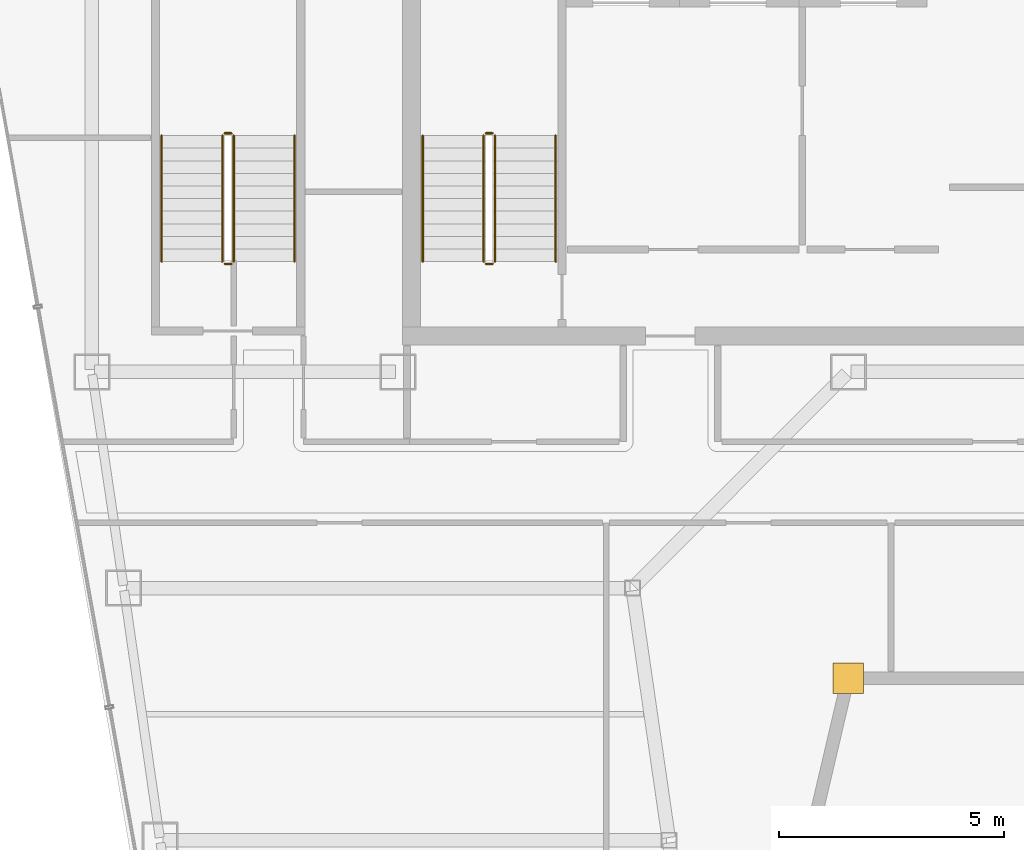
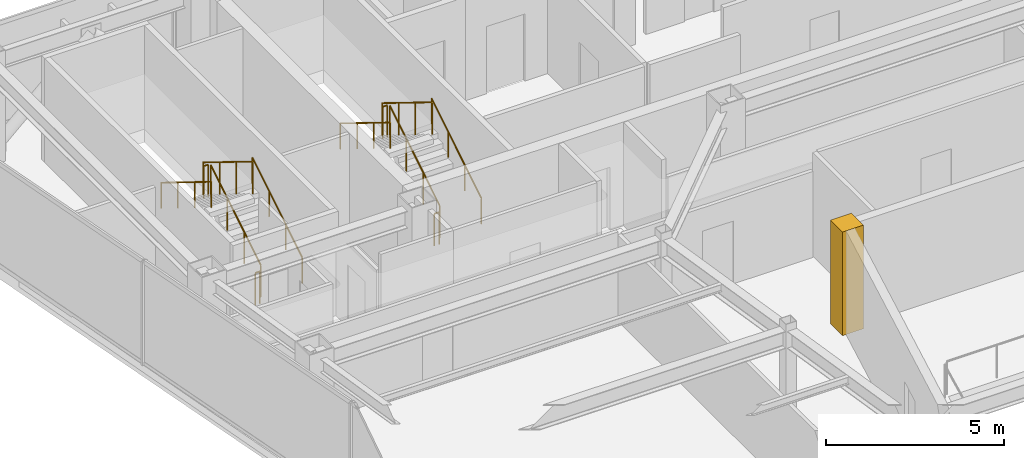
# One storey, part 25 of 28: 12 railings, 1 covering.
"""IFC4 building model written with IfcOpenShell, lengths in metres."""

from ifc_helpers import new_model, si_unit, direction, frame, origin, origin_2d, place, context, subcontext, project, spatial, polyline, circle, outline, extrude, material, layer, layer_set, type_object, element, save


model = new_model("IFC4")

# Units and contexts
model_context = context("Model", 3, precision=1e-05, world=origin(), true_north=direction((0.0, 1.0)))
body_context = subcontext(model_context, "Body", "Model", "MODEL_VIEW")
ifc_project = project(units=[si_unit("LENGTHUNIT", "METRE"), si_unit("AREAUNIT", "SQUARE_METRE"), si_unit("VOLUMEUNIT", "CUBIC_METRE"), si_unit("PLANEANGLEUNIT", "RADIAN"), si_unit("MASSUNIT", "GRAM", prefix="KILO")], contexts=[model_context])

# Site, building, storey
site_placement = place(None, origin())
site = spatial("IfcSite", under=ifc_project, at=site_placement, CompositionType="ELEMENT")
building_placement = place(site_placement, origin())
building = spatial("IfcBuilding", under=site, at=building_placement, Name="Saevonmaru Cultural Tower", CompositionType="ELEMENT")
storey_placement = place(building_placement, frame((0.0, 0.0, 253.39990234375)))
storey = spatial("IfcBuildingStorey", under=building, at=storey_placement, Name="L59", CompositionType="ELEMENT", Elevation=253.39990234375)

# Covering
ifc_material_1 = material(Name="Satin Bronze Anodised Aluminium", Category="aluminium")
ifc_layer = layer(ifc_material_1, 0.679931640625, Name="Satin Bronze Anodised Aluminium")
ifc_layer_set = layer_set([ifc_layer], Name="Satin Bronze Anodised Aluminium")
covering_type = type_object("IfcCoveringType", Name="CV-CORNER-CLAD", PredefinedType="CLADDING", material=ifc_layer_set)
covering_placement = place(storey_placement, origin())
element("IfcCovering", 1, at=covering_placement, inside=storey, type_object=covering_type, Name="L59 Tower Bronze Corner Cladding Pier 4", PredefinedType="CLADDING", context=body_context, shape_type="SweptSolid", body=[
    extrude(outline(polyline([(23.256103515625, 35.260009765625), (23.93603515625, 35.260009765625), (23.93603515625, 35.93994140625), (23.256103515625, 35.93994140625), (23.256103515625, 35.260009765625)])), origin(), (0.0, 0.0, 1.0), 3.550048828125),
])

# Railings
ifc_material_2 = material(Name="Architectural Painted Steel", Category="steel")
railing_type_1 = type_object("IfcRailingType", Name="RL-STAIR-GUARD", PredefinedType="GUARDRAIL", material=ifc_material_2)
railing_1_placement = place(storey_placement, frame((15.75, 44.85009765625, 0.1728515625)))
element("IfcRailing", 2, at=railing_1_placement, inside=storey, type_object=railing_type_1, Name="L59 ST-1 stair guard 1", PredefinedType="GUARDRAIL", context=body_context, shape_type="SweptSolid", body=[
    extrude(circle(Radius=0.02392578125, at=origin_2d()), frame((0.0, 0.0, 1.09619140625), z_axis=(0.0, 0.851069175582, 0.525053576669), x_axis=(-1.0, 0.0, 0.0)), (0.0, 0.0, 1.0), 3.289794921875),
    extrude(circle(Radius=0.02099609375, at=origin_2d()), origin(), (0.0, 0.0, 1.0), 1.072021484375),
    extrude(circle(Radius=0.02099609375, at=origin_2d()), frame((0.0, 0.933349609375, 0.57568359375)), (0.0, 0.0, 1.0), 1.072021484375),
    extrude(circle(Radius=0.02099609375, at=origin_2d()), frame((0.0, 1.866455078125, 1.151611328125)), (0.0, 0.0, 1.0), 1.072021484375),
    extrude(circle(Radius=0.02099609375, at=origin_2d()), frame((0.0, 2.7998046875, 1.727294921875)), (0.0, 0.0, 1.0), 1.072021484375),
])
railing_2_placement = place(storey_placement, frame((15.699951171875, 47.699951171875, 1.900146484375)))
element("IfcRailing", 3, at=railing_2_placement, inside=storey, type_object=railing_type_1, Name="L59 ST-1 stair guard 2", PredefinedType="GUARDRAIL", context=body_context, shape_type="SweptSolid", body=[
    extrude(circle(Radius=0.02392578125, at=origin_2d()), frame((0.0, 0.0, 1.09619140625), z_axis=(-1.0, 0.0, 0.0), x_axis=(0.0, -1.0, 0.0)), (0.0, 0.0, 1.0), 0.14990234375),
    extrude(circle(Radius=0.02099609375, at=origin_2d()), origin(), (0.0, 0.0, 1.0), 1.072021484375),
    extrude(circle(Radius=0.02099609375, at=origin_2d()), frame((-0.14990234375, 0.0, 0.0)), (0.0, 0.0, 1.0), 1.072021484375),
])
railing_3_placement = place(storey_placement, frame((15.5, 47.64990234375, 2.07275390625)))
element("IfcRailing", 4, at=railing_3_placement, inside=storey, type_object=railing_type_1, Name="L59 ST-1 stair guard 3", PredefinedType="GUARDRAIL", context=body_context, shape_type="SweptSolid", body=[
    extrude(circle(Radius=0.02392578125, at=origin_2d()), frame((0.0, 0.0, 1.09619140625), z_axis=(0.0, -0.851069175582, 0.525053576669), x_axis=(1.0, 0.0, 0.0)), (0.0, 0.0, 1.0), 3.289794921875),
    extrude(circle(Radius=0.02099609375, at=origin_2d()), origin(), (0.0, 0.0, 1.0), 1.072021484375),
    extrude(circle(Radius=0.02099609375, at=origin_2d()), frame((0.0, -0.933349609375, 0.57568359375)), (0.0, 0.0, 1.0), 1.072021484375),
    extrude(circle(Radius=0.02099609375, at=origin_2d()), frame((0.0, -1.866455078125, 1.151611328125)), (0.0, 0.0, 1.0), 1.072021484375),
    extrude(circle(Radius=0.02099609375, at=origin_2d()), frame((0.0, -2.7998046875, 1.727294921875)), (0.0, 0.0, 1.0), 1.072021484375),
])
railing_4_placement = place(storey_placement, frame((15.699951171875, 44.800048828125, 0.0)))
element("IfcRailing", 5, at=railing_4_placement, inside=storey, type_object=railing_type_1, Name="L59 ST-1 stair guard 4", PredefinedType="GUARDRAIL", context=body_context, shape_type="SweptSolid", body=[
    extrude(circle(Radius=0.02392578125, at=origin_2d()), frame((0.0, 0.0, 1.09619140625), z_axis=(-1.0, 0.0, 0.0), x_axis=(0.0, -1.0, 0.0)), (0.0, 0.0, 1.0), 0.14990234375),
    extrude(circle(Radius=0.02099609375, at=origin_2d()), origin(), (0.0, 0.0, 1.0), 1.072021484375),
    extrude(circle(Radius=0.02099609375, at=origin_2d()), frame((-0.14990234375, 0.0, 0.0)), (0.0, 0.0, 1.0), 1.072021484375),
])
railing_5_placement = place(storey_placement, frame((9.949951171875, 44.85009765625, 0.1728515625)))
element("IfcRailing", 6, at=railing_5_placement, inside=storey, type_object=railing_type_1, Name="L59 ST-3 stair guard 1", PredefinedType="GUARDRAIL", context=body_context, shape_type="SweptSolid", body=[
    extrude(circle(Radius=0.02392578125, at=origin_2d()), frame((0.0, 0.0, 1.09619140625), z_axis=(0.0, 0.851069175582, 0.525053576669), x_axis=(-1.0, 0.0, 0.0)), (0.0, 0.0, 1.0), 3.289794921875),
    extrude(circle(Radius=0.02099609375, at=origin_2d()), origin(), (0.0, 0.0, 1.0), 1.072021484375),
    extrude(circle(Radius=0.02099609375, at=origin_2d()), frame((0.0, 0.933349609375, 0.57568359375)), (0.0, 0.0, 1.0), 1.072021484375),
    extrude(circle(Radius=0.02099609375, at=origin_2d()), frame((0.0, 1.866455078125, 1.151611328125)), (0.0, 0.0, 1.0), 1.072021484375),
    extrude(circle(Radius=0.02099609375, at=origin_2d()), frame((0.0, 2.7998046875, 1.727294921875)), (0.0, 0.0, 1.0), 1.072021484375),
])
railing_6_placement = place(storey_placement, frame((9.89990234375, 47.699951171875, 1.900146484375)))
element("IfcRailing", 7, at=railing_6_placement, inside=storey, type_object=railing_type_1, Name="L59 ST-3 stair guard 2", PredefinedType="GUARDRAIL", context=body_context, shape_type="SweptSolid", body=[
    extrude(circle(Radius=0.02392578125, at=origin_2d()), frame((0.0, 0.0, 1.09619140625), z_axis=(-1.0, 0.0, 0.0), x_axis=(0.0, -1.0, 0.0)), (0.0, 0.0, 1.0), 0.14990234375),
    extrude(circle(Radius=0.02099609375, at=origin_2d()), origin(), (0.0, 0.0, 1.0), 1.072021484375),
    extrude(circle(Radius=0.02099609375, at=origin_2d()), frame((-0.14990234375, 0.0, 0.0)), (0.0, 0.0, 1.0), 1.072021484375),
])
railing_7_placement = place(storey_placement, frame((9.699951171875, 47.64990234375, 2.07275390625)))
element("IfcRailing", 8, at=railing_7_placement, inside=storey, type_object=railing_type_1, Name="L59 ST-3 stair guard 3", PredefinedType="GUARDRAIL", context=body_context, shape_type="SweptSolid", body=[
    extrude(circle(Radius=0.02392578125, at=origin_2d()), frame((0.0, 0.0, 1.09619140625), z_axis=(0.0, -0.851069175582, 0.525053576669), x_axis=(1.0, 0.0, 0.0)), (0.0, 0.0, 1.0), 3.289794921875),
    extrude(circle(Radius=0.02099609375, at=origin_2d()), origin(), (0.0, 0.0, 1.0), 1.072021484375),
    extrude(circle(Radius=0.02099609375, at=origin_2d()), frame((0.0, -0.933349609375, 0.57568359375)), (0.0, 0.0, 1.0), 1.072021484375),
    extrude(circle(Radius=0.02099609375, at=origin_2d()), frame((0.0, -1.866455078125, 1.151611328125)), (0.0, 0.0, 1.0), 1.072021484375),
    extrude(circle(Radius=0.02099609375, at=origin_2d()), frame((0.0, -2.7998046875, 1.727294921875)), (0.0, 0.0, 1.0), 1.072021484375),
])
railing_8_placement = place(storey_placement, frame((9.89990234375, 44.800048828125, 0.0)))
element("IfcRailing", 9, at=railing_8_placement, inside=storey, type_object=railing_type_1, Name="L59 ST-3 stair guard 4", PredefinedType="GUARDRAIL", context=body_context, shape_type="SweptSolid", body=[
    extrude(circle(Radius=0.02392578125, at=origin_2d()), frame((0.0, 0.0, 1.09619140625), z_axis=(-1.0, 0.0, 0.0), x_axis=(0.0, -1.0, 0.0)), (0.0, 0.0, 1.0), 0.14990234375),
    extrude(circle(Radius=0.02099609375, at=origin_2d()), origin(), (0.0, 0.0, 1.0), 1.072021484375),
    extrude(circle(Radius=0.02099609375, at=origin_2d()), frame((-0.14990234375, 0.0, 0.0)), (0.0, 0.0, 1.0), 1.072021484375),
])
railing_type_2 = type_object("IfcRailingType", Name="RL-STAIR-HANDRAIL", PredefinedType="HANDRAIL", material=ifc_material_1)
railing_9_placement = place(storey_placement, frame((17.10009765625, 44.85009765625, 0.1728515625)))
element("IfcRailing", 10, at=railing_9_placement, inside=storey, type_object=railing_type_2, Name="L59 ST-1 stair handrail 1", PredefinedType="HANDRAIL", context=body_context, shape_type="SweptSolid", body=[
    extrude(circle(Radius=0.02392578125, at=origin_2d()), frame((0.0, 0.0, 0.8759765625), z_axis=(0.0, 0.851069175582, 0.525053576669), x_axis=(-1.0, 0.0, 0.0)), (0.0, 0.0, 1.0), 3.289794921875),
    extrude(circle(Radius=0.02099609375, at=origin_2d()), origin(), (0.0, 0.0, 1.0), 0.851806640625),
    extrude(circle(Radius=0.02099609375, at=origin_2d()), frame((0.0, 0.933349609375, 0.57568359375)), (0.0, 0.0, 1.0), 0.851806640625),
    extrude(circle(Radius=0.02099609375, at=origin_2d()), frame((0.0, 1.866455078125, 1.151611328125)), (0.0, 0.0, 1.0), 0.851806640625),
    extrude(circle(Radius=0.02099609375, at=origin_2d()), frame((0.0, 2.7998046875, 1.727294921875)), (0.0, 0.0, 1.0), 0.851806640625),
])
railing_10_placement = place(storey_placement, frame((14.14990234375, 47.64990234375, 2.07275390625)))
element("IfcRailing", 11, at=railing_10_placement, inside=storey, type_object=railing_type_2, Name="L59 ST-1 stair handrail 2", PredefinedType="HANDRAIL", context=body_context, shape_type="SweptSolid", body=[
    extrude(circle(Radius=0.02392578125, at=origin_2d()), frame((0.0, 0.0, 0.8759765625), z_axis=(0.0, -0.851069175582, 0.525053576669), x_axis=(1.0, 0.0, 0.0)), (0.0, 0.0, 1.0), 3.289794921875),
    extrude(circle(Radius=0.02099609375, at=origin_2d()), origin(), (0.0, 0.0, 1.0), 0.851806640625),
    extrude(circle(Radius=0.02099609375, at=origin_2d()), frame((0.0, -0.933349609375, 0.57568359375)), (0.0, 0.0, 1.0), 0.851806640625),
    extrude(circle(Radius=0.02099609375, at=origin_2d()), frame((0.0, -1.866455078125, 1.151611328125)), (0.0, 0.0, 1.0), 0.851806640625),
    extrude(circle(Radius=0.02099609375, at=origin_2d()), frame((0.0, -2.7998046875, 1.727294921875)), (0.0, 0.0, 1.0), 0.851806640625),
])
railing_11_placement = place(storey_placement, frame((11.300048828125, 44.85009765625, 0.1728515625)))
element("IfcRailing", 12, at=railing_11_placement, inside=storey, type_object=railing_type_2, Name="L59 ST-3 stair handrail 1", PredefinedType="HANDRAIL", context=body_context, shape_type="SweptSolid", body=[
    extrude(circle(Radius=0.02392578125, at=origin_2d()), frame((0.0, 0.0, 0.8759765625), z_axis=(0.0, 0.851069175582, 0.525053576669), x_axis=(-1.0, 0.0, 0.0)), (0.0, 0.0, 1.0), 3.289794921875),
    extrude(circle(Radius=0.02099609375, at=origin_2d()), origin(), (0.0, 0.0, 1.0), 0.851806640625),
    extrude(circle(Radius=0.02099609375, at=origin_2d()), frame((0.0, 0.933349609375, 0.57568359375)), (0.0, 0.0, 1.0), 0.851806640625),
    extrude(circle(Radius=0.02099609375, at=origin_2d()), frame((0.0, 1.866455078125, 1.151611328125)), (0.0, 0.0, 1.0), 0.851806640625),
    extrude(circle(Radius=0.02099609375, at=origin_2d()), frame((0.0, 2.7998046875, 1.727294921875)), (0.0, 0.0, 1.0), 0.851806640625),
])
railing_12_placement = place(storey_placement, frame((8.35009765625, 47.64990234375, 2.07275390625)))
element("IfcRailing", 13, at=railing_12_placement, inside=storey, type_object=railing_type_2, Name="L59 ST-3 stair handrail 2", PredefinedType="HANDRAIL", context=body_context, shape_type="SweptSolid", body=[
    extrude(circle(Radius=0.02392578125, at=origin_2d()), frame((0.0, 0.0, 0.8759765625), z_axis=(0.0, -0.851069175582, 0.525053576669), x_axis=(1.0, 0.0, 0.0)), (0.0, 0.0, 1.0), 3.289794921875),
    extrude(circle(Radius=0.02099609375, at=origin_2d()), origin(), (0.0, 0.0, 1.0), 0.851806640625),
    extrude(circle(Radius=0.02099609375, at=origin_2d()), frame((0.0, -0.933349609375, 0.57568359375)), (0.0, 0.0, 1.0), 0.851806640625),
    extrude(circle(Radius=0.02099609375, at=origin_2d()), frame((0.0, -1.866455078125, 1.151611328125)), (0.0, 0.0, 1.0), 0.851806640625),
    extrude(circle(Radius=0.02099609375, at=origin_2d()), frame((0.0, -2.7998046875, 1.727294921875)), (0.0, 0.0, 1.0), 0.851806640625),
])

save(model, "model.ifc")
